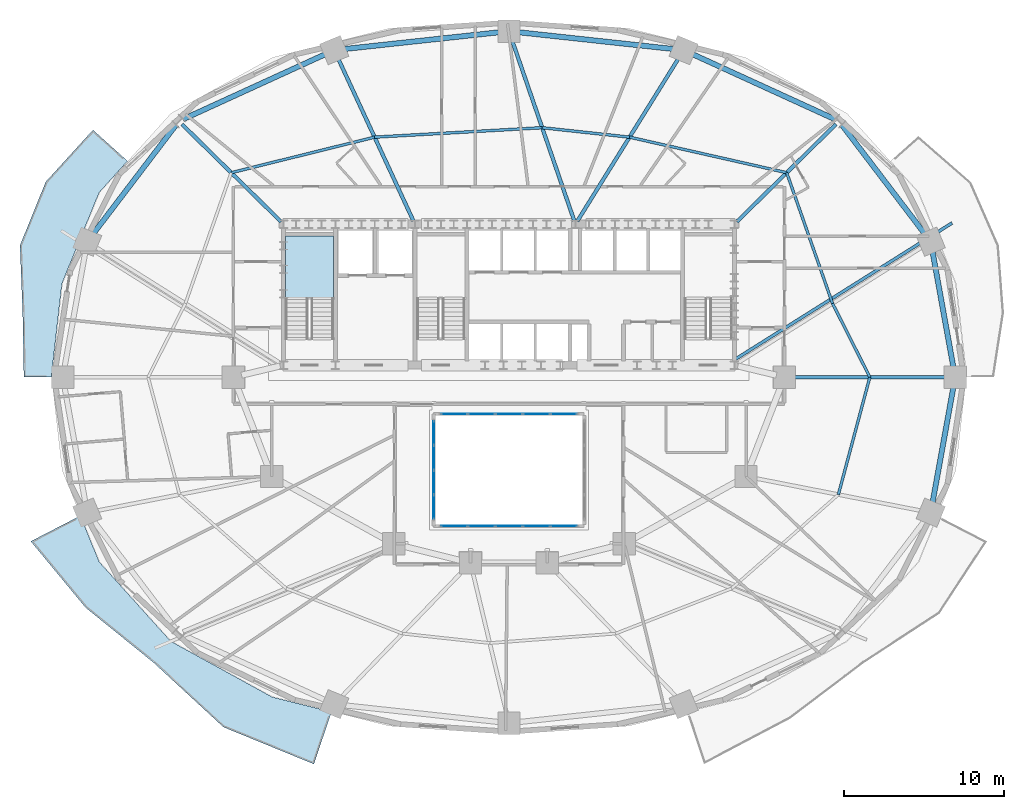
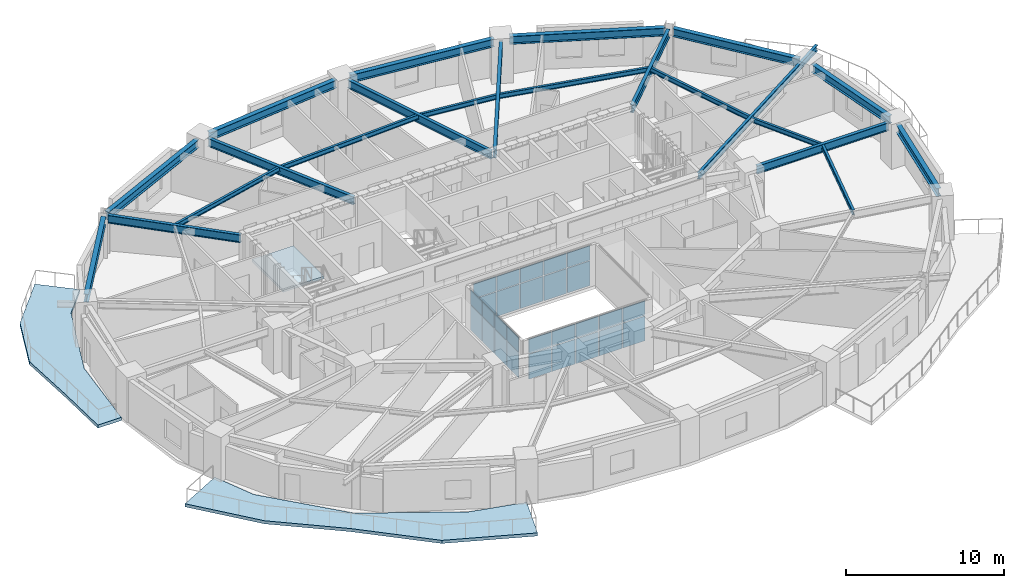
# One storey, part 6 of 15: 28 plates, 22 beams, 3 slabs, 4 elements without a shape of their own.
"""IFC4 building model written with IfcOpenShell, lengths in metres."""

from ifc_helpers import new_model, si_unit, direction, frame, origin, origin_2d, place, context, subcontext, project, spatial, polyline, rectangle, i_section, outline, extrude, material, layer, layer_set, material_profile, profile_set, type_object, element, aggregate, save


model = new_model("IFC4")

# Units and contexts
model_context = context("Model", 3, precision=1e-05, world=origin(), true_north=direction((0.0, 1.0)))
body_context = subcontext(model_context, "Body", "Model", "MODEL_VIEW")
ifc_project = project(units=[si_unit("LENGTHUNIT", "METRE"), si_unit("AREAUNIT", "SQUARE_METRE"), si_unit("VOLUMEUNIT", "CUBIC_METRE"), si_unit("PLANEANGLEUNIT", "RADIAN"), si_unit("MASSUNIT", "GRAM", prefix="KILO")], contexts=[model_context])

# Site, building, storey
site_placement = place(None, origin())
site = spatial("IfcSite", under=ifc_project, at=site_placement, CompositionType="ELEMENT")
building_placement = place(site_placement, origin())
building = spatial("IfcBuilding", under=site, at=building_placement, Name="Haldorwick Loom Tower", CompositionType="ELEMENT")
storey_placement = place(building_placement, frame((0.0, 0.0, 92.14990234375)))
storey = spatial("IfcBuildingStorey", under=building, at=storey_placement, Name="L24", CompositionType="ELEMENT", Elevation=92.14990234375)

# Beams
ifc_material_1 = material(Name="Steel CSA G40.21 350W", Category="steel")
ifc_material_profile_1 = material_profile(ifc_material_1, i_section(OverallWidth=0.193115234375, OverallDepth=0.466064453125, WebThickness=0.011474609375, FlangeThickness=0.01904296875, at=origin_2d()), Name="W460X97", Category="steel")
ifc_profile_set_1 = profile_set([ifc_material_profile_1], Name="Steel CSA G40.21 350W")
beam_type_1 = type_object("IfcBeamType", Name="STR-BM-BAL460", PredefinedType="BEAM", material=ifc_profile_set_1)
beam_1_placement = place(storey_placement, frame((50.111572265625, 27.106689453125, 2.97705078125), z_axis=(0.846609845451, 0.532214026108, 0.0), x_axis=(-0.532214026108, 0.846609845451, 0.0)))
element("IfcBeam", 1, at=beam_1_placement, inside=storey, type_object=beam_type_1, Name="L24 Continuous Back-Spanned Balcony Beam 4", PredefinedType="BEAM", context=body_context, shape_type="SweptSolid", body=[
    extrude(i_section(OverallWidth=0.193115234375, OverallDepth=0.466064453125, WebThickness=0.011474609375, FlangeThickness=0.01904296875, at=origin_2d()), origin(), (0.0, 0.0, 1.0), 16.0068359375),
])
ifc_material_profile_2 = material_profile(ifc_material_1, i_section(OverallWidth=0.172119140625, OverallDepth=0.35791015625, WebThickness=0.0078125, FlangeThickness=0.01318359375, at=origin_2d()), Name="W360X57", Category="steel")
ifc_profile_set_2 = profile_set([ifc_material_profile_2], Name="Steel CSA G40.21 350W")
beam_type_2 = type_object("IfcBeamType", Name="STR-BM-J360", PredefinedType="JOIST", material=ifc_profile_set_2)
beam_2_placement = place(storey_placement, frame((58.52880859375, 26.0, 3.031005859375), z_axis=(-0.451373231558, 0.892335254169, 0.0), x_axis=(-0.892335254169, -0.451373231558, 0.0)))
element("IfcBeam", 2, at=beam_2_placement, inside=storey, type_object=beam_type_2, Name="L24 Mid-Bay Secondary Joist 1", PredefinedType="JOIST", context=body_context, shape_type="SweptSolid", body=[
    extrude(i_section(OverallWidth=0.172119140625, OverallDepth=0.35791015625, WebThickness=0.0078125, FlangeThickness=0.01318359375, at=origin_2d()), origin(), (0.0, 0.0, 1.0), 5.158935546875),
])
beam_3_placement = place(storey_placement, frame((56.2001953125, 30.603515625, 3.031005859375), z_axis=(-0.330864603503, 0.943678236556, 0.0), x_axis=(-0.943678236556, -0.330864603503, 0.0)))
element("IfcBeam", 3, at=beam_3_placement, inside=storey, type_object=beam_type_2, Name="L24 Mid-Bay Secondary Joist 2", PredefinedType="JOIST", context=body_context, shape_type="SweptSolid", body=[
    extrude(i_section(OverallWidth=0.172119140625, OverallDepth=0.35791015625, WebThickness=0.0078125, FlangeThickness=0.01318359375, at=origin_2d()), origin(), (0.0, 0.0, 1.0), 8.6494140625),
])
beam_4_placement = place(storey_placement, frame((53.33837890625, 38.765869140625, 3.031005859375), z_axis=(-0.975380231772, 0.22052982444, 0.0), x_axis=(-0.22052982444, -0.975380231772, 0.0)))
element("IfcBeam", 4, at=beam_4_placement, inside=storey, type_object=beam_type_2, Name="L24 Mid-Bay Secondary Joist 3", PredefinedType="JOIST", context=body_context, shape_type="SweptSolid", body=[
    extrude(i_section(OverallWidth=0.172119140625, OverallDepth=0.35791015625, WebThickness=0.0078125, FlangeThickness=0.01318359375, at=origin_2d()), origin(), (0.0, 0.0, 1.0), 10.0576171875),
])
beam_5_placement = place(storey_placement, frame((43.5283203125, 40.98388671875, 3.031005859375), z_axis=(-0.994191869342, 0.107622148904, 0.0), x_axis=(-0.107622148904, -0.994191869342, 0.0)))
element("IfcBeam", 5, at=beam_5_placement, inside=storey, type_object=beam_type_2, Name="L24 Mid-Bay Secondary Joist 4", PredefinedType="JOIST", context=body_context, shape_type="SweptSolid", body=[
    extrude(i_section(OverallWidth=0.172119140625, OverallDepth=0.35791015625, WebThickness=0.0078125, FlangeThickness=0.01318359375, at=origin_2d()), origin(), (0.0, 0.0, 1.0), 5.485107421875),
])
beam_6_placement = place(storey_placement, frame((38.074951171875, 41.57421875, 3.031005859375), z_axis=(-0.998412171013, -0.056330602457, 0.0), x_axis=(0.056330602457, -0.998412171013, 0.0)))
element("IfcBeam", 6, at=beam_6_placement, inside=storey, type_object=beam_type_2, Name="L24 Mid-Bay Secondary Joist 5", PredefinedType="JOIST", context=body_context, shape_type="SweptSolid", body=[
    extrude(i_section(OverallWidth=0.172119140625, OverallDepth=0.35791015625, WebThickness=0.0078125, FlangeThickness=0.01318359375, at=origin_2d()), origin(), (0.0, 0.0, 1.0), 10.479736328125),
])
beam_7_placement = place(storey_placement, frame((27.61181640625, 40.98388671875, 3.031005859375), z_axis=(-0.970638838364, -0.240541567009, 0.0), x_axis=(0.240541567009, -0.970638838364, 0.0)))
element("IfcBeam", 7, at=beam_7_placement, inside=storey, type_object=beam_type_2, Name="L24 Mid-Bay Secondary Joist 6", PredefinedType="JOIST", context=body_context, shape_type="SweptSolid", body=[
    extrude(i_section(OverallWidth=0.172119140625, OverallDepth=0.35791015625, WebThickness=0.0078125, FlangeThickness=0.01318359375, at=origin_2d()), origin(), (0.0, 0.0, 1.0), 9.220947265625),
])
beam_8_placement = place(storey_placement, frame((56.565185546875, 18.67138671875, 3.031005859375), z_axis=(0.258810072536, 0.965928230436, 0.0), x_axis=(-0.965928230436, 0.258810072536, 0.0)))
element("IfcBeam", 8, at=beam_8_placement, inside=storey, type_object=beam_type_2, Name="L24 Mid-Bay Secondary Joist 16", PredefinedType="JOIST", context=body_context, shape_type="SweptSolid", body=[
    extrude(i_section(OverallWidth=0.172119140625, OverallDepth=0.35791015625, WebThickness=0.0078125, FlangeThickness=0.01318359375, at=origin_2d()), origin(), (0.0, 0.0, 1.0), 7.587158203125),
])
ifc_material_profile_3 = material_profile(ifc_material_1, i_section(OverallWidth=0.324951171875, OverallDepth=0.615966796875, WebThickness=0.013916015625, FlangeThickness=0.021484375, at=origin_2d()), Name="W610X174", Category="steel")
ifc_profile_set_3 = profile_set([ifc_material_profile_3], Name="Steel CSA G40.21 350W")
beam_type_3 = type_object("IfcBeamType", Name="STR-BM-SP610", PredefinedType="SPANDREL", material=ifc_profile_set_3)
beam_9_placement = place(storey_placement, frame((63.76513671875, 26.51171875, 2.902099609375), z_axis=(-0.177659490888, 0.984092020747, 0.0), x_axis=(-0.984092020747, -0.177659490888, 0.0)))
element("IfcBeam", 9, at=beam_9_placement, inside=storey, type_object=beam_type_3, Name="L24 Perimeter Spandrel 1", PredefinedType="SPANDREL", context=body_context, shape_type="SweptSolid", body=[
    extrude(i_section(OverallWidth=0.324951171875, OverallDepth=0.615966796875, WebThickness=0.013916015625, FlangeThickness=0.021484375, at=origin_2d()), origin(), (0.0, 0.0, 1.0), 7.553955078125),
])
beam_10_placement = place(storey_placement, frame((62.015869140625, 34.87109375, 2.902099609375), z_axis=(-0.605453508047, 0.795880675475, 0.0), x_axis=(-0.795880675475, -0.605453508047, 0.0)))
element("IfcBeam", 10, at=beam_10_placement, inside=storey, type_object=beam_type_3, Name="L24 Perimeter Spandrel 2", PredefinedType="SPANDREL", context=body_context, shape_type="SweptSolid", body=[
    extrude(i_section(OverallWidth=0.324951171875, OverallDepth=0.615966796875, WebThickness=0.013916015625, FlangeThickness=0.021484375, at=origin_2d()), origin(), (0.0, 0.0, 1.0), 8.6591796875),
])
beam_11_placement = place(storey_placement, frame((56.356689453125, 42.09619140625, 2.902099609375), z_axis=(-0.909423969306, 0.415870225011, 0.0), x_axis=(-0.415870225011, -0.909423969306, 0.0)))
element("IfcBeam", 11, at=beam_11_placement, inside=storey, type_object=beam_type_3, Name="L24 Perimeter Spandrel 3", PredefinedType="SPANDREL", context=body_context, shape_type="SweptSolid", body=[
    extrude(i_section(OverallWidth=0.324951171875, OverallDepth=0.615966796875, WebThickness=0.013916015625, FlangeThickness=0.021484375, at=origin_2d()), origin(), (0.0, 0.0, 1.0), 9.871337890625),
])
for number, where, z_axis, x_axis, name in (
    (12, (46.389404296875, 46.4736328125, 2.902099609375), (-0.994190135627, 0.107638163409, 0.0), (-0.107638163409, -0.994190135627, 0.0), "L24 Perimeter Spandrel 4"),
    (13, (35.48291015625, 47.54248046875, 2.902099609375), (-0.994190135627, -0.107638163409, 0.0), (0.107638163409, -0.994190135627, 0.0), "L24 Perimeter Spandrel 5"),
):
    element("IfcBeam", number, at=place(storey_placement, frame(where, z_axis=z_axis, x_axis=x_axis)), inside=storey, type_object=beam_type_3, Name=name, PredefinedType="SPANDREL", context=body_context, shape_type="SweptSolid", body=[
        extrude(i_section(OverallWidth=0.324951171875, OverallDepth=0.615966796875, WebThickness=0.013916015625, FlangeThickness=0.021484375, at=origin_2d()), origin(), (0.0, 0.0, 1.0), 9.929931640625),
    ])
beam_12_placement = place(storey_placement, frame((24.62060546875, 46.201416015625, 2.902099609375), z_axis=(-0.909423969306, -0.415870225011, 0.0), x_axis=(0.415870225011, -0.909423969306, 0.0)))
element("IfcBeam", 14, at=beam_12_placement, inside=storey, type_object=beam_type_3, Name="L24 Perimeter Spandrel 6", PredefinedType="SPANDREL", context=body_context, shape_type="SweptSolid", body=[
    extrude(i_section(OverallWidth=0.324951171875, OverallDepth=0.615966796875, WebThickness=0.013916015625, FlangeThickness=0.021484375, at=origin_2d()), origin(), (0.0, 0.0, 1.0), 9.871337890625),
])
beam_13_placement = place(storey_placement, frame((15.226806640625, 41.7626953125, 2.902099609375), z_axis=(-0.605453508047, -0.795880675475, 0.0), x_axis=(0.795880675475, -0.605453508047, 0.0)))
element("IfcBeam", 15, at=beam_13_placement, inside=storey, type_object=beam_type_3, Name="L24 Perimeter Spandrel 7", PredefinedType="SPANDREL", context=body_context, shape_type="SweptSolid", body=[
    extrude(i_section(OverallWidth=0.324951171875, OverallDepth=0.615966796875, WebThickness=0.013916015625, FlangeThickness=0.021484375, at=origin_2d()), origin(), (0.0, 0.0, 1.0), 8.6591796875),
])
beam_14_placement = place(storey_placement, frame((62.423095703125, 18.054443359375, 2.902099609375), z_axis=(0.177659490888, 0.984092020747, 0.0), x_axis=(-0.984092020747, 0.177659490888, 0.0)))
element("IfcBeam", 16, at=beam_14_placement, inside=storey, type_object=beam_type_3, Name="L24 Perimeter Spandrel 16", PredefinedType="SPANDREL", context=body_context, shape_type="SweptSolid", body=[
    extrude(i_section(OverallWidth=0.324951171875, OverallDepth=0.615966796875, WebThickness=0.013916015625, FlangeThickness=0.021484375, at=origin_2d()), origin(), (0.0, 0.0, 1.0), 7.553955078125),
])
ifc_material_profile_4 = material_profile(ifc_material_1, i_section(OverallWidth=0.22998046875, OverallDepth=0.616943359375, WebThickness=0.01318359375, FlangeThickness=0.022216796875, at=origin_2d()), Name="W610X140", Category="steel")
ifc_profile_set_4 = profile_set([ifc_material_profile_4], Name="Steel CSA G40.21 350W")
beam_type_4 = type_object("IfcBeamType", Name="STR-BM-W610B", PredefinedType="BEAM", material=ifc_profile_set_4)
beam_15_placement = place(storey_placement, frame((53.719970703125, 26.0, 2.901611328125), z_axis=(1.0, 0.0, 0.0), x_axis=(0.0, 1.0, 0.0)))
element("IfcBeam", 17, at=beam_15_placement, inside=storey, type_object=beam_type_4, Name="L24 Radial Floor Girder 1", PredefinedType="BEAM", context=body_context, shape_type="SweptSolid", body=[
    extrude(i_section(OverallWidth=0.22998046875, OverallDepth=0.616943359375, WebThickness=0.01318359375, FlangeThickness=0.022216796875, at=origin_2d()), origin(), (0.0, 0.0, 1.0), 9.61767578125),
])
beam_16_placement = place(storey_placement, frame((50.23046875, 35.707763671875, 2.901611328125), z_axis=(0.712813667541, 0.701353459653, 0.0), x_axis=(-0.701353459653, 0.712813667541, 0.0)))
element("IfcBeam", 18, at=beam_16_placement, inside=storey, type_object=beam_type_4, Name="L24 Radial Floor Girder 3", PredefinedType="BEAM", context=body_context, shape_type="SweptSolid", body=[
    extrude(i_section(OverallWidth=0.22998046875, OverallDepth=0.616943359375, WebThickness=0.01318359375, FlangeThickness=0.022216796875, at=origin_2d()), origin(), (0.0, 0.0, 1.0), 8.67041015625),
])
beam_17_placement = place(storey_placement, frame((40.268798828125, 35.7412109375, 2.901611328125), z_axis=(0.527983484361, 0.849254638046, 0.0), x_axis=(-0.849254638046, 0.527983484361, 0.0)))
element("IfcBeam", 19, at=beam_17_placement, inside=storey, type_object=beam_type_4, Name="L24 Radial Floor Girder 4", PredefinedType="BEAM", context=body_context, shape_type="SweptSolid", body=[
    extrude(i_section(OverallWidth=0.22998046875, OverallDepth=0.616943359375, WebThickness=0.01318359375, FlangeThickness=0.022216796875, at=origin_2d()), origin(), (0.0, 0.0, 1.0), 12.051513671875),
])
beam_18_placement = place(storey_placement, frame((40.07666015625, 35.7626953125, 2.901611328125), z_axis=(-0.325673980289, 0.945482130218, 0.0), x_axis=(-0.945482130218, -0.325673980289, 0.0)))
element("IfcBeam", 20, at=beam_18_placement, inside=storey, type_object=beam_type_4, Name="L24 Radial Floor Girder 5", PredefinedType="BEAM", context=body_context, shape_type="SweptSolid", body=[
    extrude(i_section(OverallWidth=0.22998046875, OverallDepth=0.616943359375, WebThickness=0.01318359375, FlangeThickness=0.022216796875, at=origin_2d()), origin(), (0.0, 0.0, 1.0), 11.998046875),
])
beam_19_placement = place(storey_placement, frame((30.035400390625, 35.754150390625, 2.901611328125), z_axis=(-0.420492432459, 0.907296045536, 0.0), x_axis=(-0.907296045536, -0.420492432459, 0.0)))
element("IfcBeam", 21, at=beam_19_placement, inside=storey, type_object=beam_type_4, Name="L24 Radial Floor Girder 6", PredefinedType="BEAM", context=body_context, shape_type="SweptSolid", body=[
    extrude(i_section(OverallWidth=0.22998046875, OverallDepth=0.616943359375, WebThickness=0.01318359375, FlangeThickness=0.022216796875, at=origin_2d()), origin(), (0.0, 0.0, 1.0), 11.23291015625),
])
beam_20_placement = place(storey_placement, frame((21.76953125, 35.707763671875, 2.901611328125), z_axis=(-0.712813667541, 0.701353459653, 0.0), x_axis=(-0.701353459653, -0.712813667541, 0.0)))
element("IfcBeam", 22, at=beam_20_placement, inside=storey, type_object=beam_type_4, Name="L24 Radial Floor Girder 7", PredefinedType="BEAM", context=body_context, shape_type="SweptSolid", body=[
    extrude(i_section(OverallWidth=0.22998046875, OverallDepth=0.616943359375, WebThickness=0.01318359375, FlangeThickness=0.022216796875, at=origin_2d()), origin(), (0.0, 0.0, 1.0), 8.67041015625),
])

# Curtain wall, plates
ifc_material_2 = material(Name="Thermally Broken Anodized Aluminium Curtain Wall Framing", Category="aluminium")
curtain_wall_type = type_object("IfcCurtainWallType", Name="ARC-CW-03", PredefinedType="NOTDEFINED", material=ifc_material_2)
curtain_wall_1_placement = place(storey_placement, origin())
curtain_wall_1 = element("IfcCurtainWall", 23, at=curtain_wall_1_placement, inside=storey, type_object=curtain_wall_type, Name="L24 Atrium Glazed Screen S", PredefinedType="NOTDEFINED")
ifc_material_3 = material(Name="Triple-Glazed Low-E Argon Insulated Glazing Unit", Category="glass")
ifc_layer_1 = layer(ifc_material_3, 0.04296875, Name="Triple-Glazed Low-E Argon Insulated Glazing Unit", Category="glass")
ifc_layer_set_1 = layer_set([ifc_layer_1], Name="Triple-Glazed Low-E Argon Insulated Glazing Unit")
plate_type = type_object("IfcPlateType", Name="ARC-CWP-03", PredefinedType="CURTAIN_PANEL", material=ifc_layer_set_1)
plate_1_placement = place(storey_placement, frame((39.423583984375, 16.699951171875, 0.066162109375), z_axis=(0.0, 0.0, 1.0), x_axis=(-1.0, 0.0, 0.0)))
plate_1 = element("IfcPlate", 24, at=plate_1_placement, type_object=plate_type, Name="CW-03 panel 1.1", PredefinedType="CURTAIN_PANEL", context=body_context, shape_type="SweptSolid", body=[
    extrude(rectangle(XDim=1.62109375, YDim=0.04296875, at=origin_2d()), origin(), (0.0, 0.0, 1.0), 1.90087890625),
])
plate_2_placement = place(storey_placement, frame((39.423583984375, 16.699951171875, 2.033203125), z_axis=(0.0, 0.0, 1.0), x_axis=(-1.0, 0.0, 0.0)))
plate_2 = element("IfcPlate", 25, at=plate_2_placement, type_object=plate_type, Name="CW-03 panel 1.2", PredefinedType="CURTAIN_PANEL", context=body_context, shape_type="SweptSolid", body=[
    extrude(rectangle(XDim=1.62109375, YDim=0.04296875, at=origin_2d()), origin(), (0.0, 0.0, 1.0), 1.111083984375),
])
plate_3_placement = place(storey_placement, frame((37.719970703125, 16.699951171875, 0.066162109375), z_axis=(0.0, 0.0, 1.0), x_axis=(-1.0, 0.0, 0.0)))
plate_3 = element("IfcPlate", 26, at=plate_3_placement, type_object=plate_type, Name="CW-03 panel 2.1", PredefinedType="CURTAIN_PANEL", context=body_context, shape_type="SweptSolid", body=[
    extrude(rectangle(XDim=1.654052734375, YDim=0.04296875, at=origin_2d()), origin(), (0.0, 0.0, 1.0), 1.90087890625),
])
plate_4_placement = place(storey_placement, frame((37.719970703125, 16.699951171875, 2.033203125), z_axis=(0.0, 0.0, 1.0), x_axis=(-1.0, 0.0, 0.0)))
plate_4 = element("IfcPlate", 27, at=plate_4_placement, type_object=plate_type, Name="CW-03 panel 2.2", PredefinedType="CURTAIN_PANEL", context=body_context, shape_type="SweptSolid", body=[
    extrude(rectangle(XDim=1.654052734375, YDim=0.04296875, at=origin_2d()), origin(), (0.0, 0.0, 1.0), 1.111083984375),
])
plate_5_placement = place(storey_placement, frame((36.0, 16.699951171875, 0.066162109375), z_axis=(0.0, 0.0, 1.0), x_axis=(-1.0, 0.0, 0.0)))
plate_5 = element("IfcPlate", 28, at=plate_5_placement, type_object=plate_type, Name="CW-03 panel 3.1", PredefinedType="CURTAIN_PANEL", context=body_context, shape_type="SweptSolid", body=[
    extrude(rectangle(XDim=1.654052734375, YDim=0.04296875, at=origin_2d()), origin(), (0.0, 0.0, 1.0), 1.90087890625),
])
plate_6_placement = place(storey_placement, frame((36.0, 16.699951171875, 2.033203125), z_axis=(0.0, 0.0, 1.0), x_axis=(-1.0, 0.0, 0.0)))
plate_6 = element("IfcPlate", 29, at=plate_6_placement, type_object=plate_type, Name="CW-03 panel 3.2", PredefinedType="CURTAIN_PANEL", context=body_context, shape_type="SweptSolid", body=[
    extrude(rectangle(XDim=1.654052734375, YDim=0.04296875, at=origin_2d()), origin(), (0.0, 0.0, 1.0), 1.111083984375),
])
plate_7_placement = place(storey_placement, frame((34.280029296875, 16.699951171875, 0.066162109375), z_axis=(0.0, 0.0, 1.0), x_axis=(-1.0, 0.0, 0.0)))
plate_7 = element("IfcPlate", 30, at=plate_7_placement, type_object=plate_type, Name="CW-03 panel 4.1", PredefinedType="CURTAIN_PANEL", context=body_context, shape_type="SweptSolid", body=[
    extrude(rectangle(XDim=1.654052734375, YDim=0.04296875, at=origin_2d()), origin(), (0.0, 0.0, 1.0), 1.90087890625),
])
plate_8_placement = place(storey_placement, frame((34.280029296875, 16.699951171875, 2.033203125), z_axis=(0.0, 0.0, 1.0), x_axis=(-1.0, 0.0, 0.0)))
plate_8 = element("IfcPlate", 31, at=plate_8_placement, type_object=plate_type, Name="CW-03 panel 4.2", PredefinedType="CURTAIN_PANEL", context=body_context, shape_type="SweptSolid", body=[
    extrude(rectangle(XDim=1.654052734375, YDim=0.04296875, at=origin_2d()), origin(), (0.0, 0.0, 1.0), 1.111083984375),
])
plate_9_placement = place(storey_placement, frame((32.576416015625, 16.699951171875, 0.066162109375), z_axis=(0.0, 0.0, 1.0), x_axis=(-1.0, 0.0, 0.0)))
plate_9 = element("IfcPlate", 32, at=plate_9_placement, type_object=plate_type, Name="CW-03 panel 5.1", PredefinedType="CURTAIN_PANEL", context=body_context, shape_type="SweptSolid", body=[
    extrude(rectangle(XDim=1.62109375, YDim=0.04296875, at=origin_2d()), origin(), (0.0, 0.0, 1.0), 1.90087890625),
])
plate_10_placement = place(storey_placement, frame((32.576416015625, 16.699951171875, 2.033203125), z_axis=(0.0, 0.0, 1.0), x_axis=(-1.0, 0.0, 0.0)))
plate_10 = element("IfcPlate", 33, at=plate_10_placement, type_object=plate_type, Name="CW-03 panel 5.2", PredefinedType="CURTAIN_PANEL", context=body_context, shape_type="SweptSolid", body=[
    extrude(rectangle(XDim=1.62109375, YDim=0.04296875, at=origin_2d()), origin(), (0.0, 0.0, 1.0), 1.111083984375),
])
aggregate(curtain_wall_1, [plate_1, plate_2, plate_3, plate_4, plate_5, plate_6, plate_7, plate_8, plate_9, plate_10])

curtain_wall_2_placement = place(storey_placement, origin())
curtain_wall_2 = element("IfcCurtainWall", 34, at=curtain_wall_2_placement, inside=storey, type_object=curtain_wall_type, Name="L24 Atrium Glazed Screen N", PredefinedType="NOTDEFINED")
plate_11_placement = place(storey_placement, frame((32.576416015625, 23.699951171875, 0.066162109375), z_axis=(0.0, 0.0, 1.0), x_axis=(1.0, 0.0, 0.0)))
plate_11 = element("IfcPlate", 35, at=plate_11_placement, type_object=plate_type, Name="CW-03 panel 1.1", PredefinedType="CURTAIN_PANEL", context=body_context, shape_type="SweptSolid", body=[
    extrude(rectangle(XDim=1.62109375, YDim=0.04296875, at=origin_2d()), origin(), (0.0, 0.0, 1.0), 1.90087890625),
])
plate_12_placement = place(storey_placement, frame((32.576416015625, 23.699951171875, 2.033203125), z_axis=(0.0, 0.0, 1.0), x_axis=(1.0, 0.0, 0.0)))
plate_12 = element("IfcPlate", 36, at=plate_12_placement, type_object=plate_type, Name="CW-03 panel 1.2", PredefinedType="CURTAIN_PANEL", context=body_context, shape_type="SweptSolid", body=[
    extrude(rectangle(XDim=1.62109375, YDim=0.04296875, at=origin_2d()), origin(), (0.0, 0.0, 1.0), 1.111083984375),
])
plate_13_placement = place(storey_placement, frame((34.280029296875, 23.699951171875, 0.066162109375), z_axis=(0.0, 0.0, 1.0), x_axis=(1.0, 0.0, 0.0)))
plate_13 = element("IfcPlate", 37, at=plate_13_placement, type_object=plate_type, Name="CW-03 panel 2.1", PredefinedType="CURTAIN_PANEL", context=body_context, shape_type="SweptSolid", body=[
    extrude(rectangle(XDim=1.654052734375, YDim=0.04296875, at=origin_2d()), origin(), (0.0, 0.0, 1.0), 1.90087890625),
])
plate_14_placement = place(storey_placement, frame((34.280029296875, 23.699951171875, 2.033203125), z_axis=(0.0, 0.0, 1.0), x_axis=(1.0, 0.0, 0.0)))
plate_14 = element("IfcPlate", 38, at=plate_14_placement, type_object=plate_type, Name="CW-03 panel 2.2", PredefinedType="CURTAIN_PANEL", context=body_context, shape_type="SweptSolid", body=[
    extrude(rectangle(XDim=1.654052734375, YDim=0.04296875, at=origin_2d()), origin(), (0.0, 0.0, 1.0), 1.111083984375),
])
plate_15_placement = place(storey_placement, frame((36.0, 23.699951171875, 0.066162109375), z_axis=(0.0, 0.0, 1.0), x_axis=(1.0, 0.0, 0.0)))
plate_15 = element("IfcPlate", 39, at=plate_15_placement, type_object=plate_type, Name="CW-03 panel 3.1", PredefinedType="CURTAIN_PANEL", context=body_context, shape_type="SweptSolid", body=[
    extrude(rectangle(XDim=1.654052734375, YDim=0.04296875, at=origin_2d()), origin(), (0.0, 0.0, 1.0), 1.90087890625),
])
plate_16_placement = place(storey_placement, frame((36.0, 23.699951171875, 2.033203125), z_axis=(0.0, 0.0, 1.0), x_axis=(1.0, 0.0, 0.0)))
plate_16 = element("IfcPlate", 40, at=plate_16_placement, type_object=plate_type, Name="CW-03 panel 3.2", PredefinedType="CURTAIN_PANEL", context=body_context, shape_type="SweptSolid", body=[
    extrude(rectangle(XDim=1.654052734375, YDim=0.04296875, at=origin_2d()), origin(), (0.0, 0.0, 1.0), 1.111083984375),
])
plate_17_placement = place(storey_placement, frame((37.719970703125, 23.699951171875, 0.066162109375), z_axis=(0.0, 0.0, 1.0), x_axis=(1.0, 0.0, 0.0)))
plate_17 = element("IfcPlate", 41, at=plate_17_placement, type_object=plate_type, Name="CW-03 panel 4.1", PredefinedType="CURTAIN_PANEL", context=body_context, shape_type="SweptSolid", body=[
    extrude(rectangle(XDim=1.654052734375, YDim=0.04296875, at=origin_2d()), origin(), (0.0, 0.0, 1.0), 1.90087890625),
])
plate_18_placement = place(storey_placement, frame((37.719970703125, 23.699951171875, 2.033203125), z_axis=(0.0, 0.0, 1.0), x_axis=(1.0, 0.0, 0.0)))
plate_18 = element("IfcPlate", 42, at=plate_18_placement, type_object=plate_type, Name="CW-03 panel 4.2", PredefinedType="CURTAIN_PANEL", context=body_context, shape_type="SweptSolid", body=[
    extrude(rectangle(XDim=1.654052734375, YDim=0.04296875, at=origin_2d()), origin(), (0.0, 0.0, 1.0), 1.111083984375),
])
plate_19_placement = place(storey_placement, frame((39.423583984375, 23.699951171875, 0.066162109375), z_axis=(0.0, 0.0, 1.0), x_axis=(1.0, 0.0, 0.0)))
plate_19 = element("IfcPlate", 43, at=plate_19_placement, type_object=plate_type, Name="CW-03 panel 5.1", PredefinedType="CURTAIN_PANEL", context=body_context, shape_type="SweptSolid", body=[
    extrude(rectangle(XDim=1.62109375, YDim=0.04296875, at=origin_2d()), origin(), (0.0, 0.0, 1.0), 1.90087890625),
])
plate_20_placement = place(storey_placement, frame((39.423583984375, 23.699951171875, 2.033203125), z_axis=(0.0, 0.0, 1.0), x_axis=(1.0, 0.0, 0.0)))
plate_20 = element("IfcPlate", 44, at=plate_20_placement, type_object=plate_type, Name="CW-03 panel 5.2", PredefinedType="CURTAIN_PANEL", context=body_context, shape_type="SweptSolid", body=[
    extrude(rectangle(XDim=1.62109375, YDim=0.04296875, at=origin_2d()), origin(), (0.0, 0.0, 1.0), 1.111083984375),
])
aggregate(curtain_wall_2, [plate_11, plate_12, plate_13, plate_14, plate_15, plate_16, plate_17, plate_18, plate_19, plate_20])

curtain_wall_3_placement = place(storey_placement, origin())
curtain_wall_3 = element("IfcCurtainWall", 45, at=curtain_wall_3_placement, inside=storey, type_object=curtain_wall_type, Name="L24 Atrium Glazed Screen W", PredefinedType="NOTDEFINED")
plate_21_placement = place(storey_placement, frame((31.300048828125, 17.8916015625, 0.066162109375), z_axis=(0.0, 0.0, 1.0), x_axis=(0.0, 1.0, 0.0)))
plate_21 = element("IfcPlate", 46, at=plate_21_placement, type_object=plate_type, Name="CW-03 panel 1.1", PredefinedType="CURTAIN_PANEL", context=body_context, shape_type="SweptSolid", body=[
    extrude(rectangle(XDim=1.450927734375, YDim=0.04296875, at=origin_2d()), origin(), (0.0, 0.0, 1.0), 1.90087890625),
])
plate_22_placement = place(storey_placement, frame((31.300048828125, 17.8916015625, 2.033203125), z_axis=(0.0, 0.0, 1.0), x_axis=(0.0, 1.0, 0.0)))
plate_22 = element("IfcPlate", 47, at=plate_22_placement, type_object=plate_type, Name="CW-03 panel 1.2", PredefinedType="CURTAIN_PANEL", context=body_context, shape_type="SweptSolid", body=[
    extrude(rectangle(XDim=1.450927734375, YDim=0.04296875, at=origin_2d()), origin(), (0.0, 0.0, 1.0), 1.111083984375),
])
plate_23_placement = place(storey_placement, frame((31.300048828125, 19.425048828125, 0.066162109375), z_axis=(0.0, 0.0, 1.0), x_axis=(0.0, 1.0, 0.0)))
plate_23 = element("IfcPlate", 48, at=plate_23_placement, type_object=plate_type, Name="CW-03 panel 2.1", PredefinedType="CURTAIN_PANEL", context=body_context, shape_type="SweptSolid", body=[
    extrude(rectangle(XDim=1.48388671875, YDim=0.04296875, at=origin_2d()), origin(), (0.0, 0.0, 1.0), 1.90087890625),
])
plate_24_placement = place(storey_placement, frame((31.300048828125, 19.425048828125, 2.033203125), z_axis=(0.0, 0.0, 1.0), x_axis=(0.0, 1.0, 0.0)))
plate_24 = element("IfcPlate", 49, at=plate_24_placement, type_object=plate_type, Name="CW-03 panel 2.2", PredefinedType="CURTAIN_PANEL", context=body_context, shape_type="SweptSolid", body=[
    extrude(rectangle(XDim=1.48388671875, YDim=0.04296875, at=origin_2d()), origin(), (0.0, 0.0, 1.0), 1.111083984375),
])
plate_25_placement = place(storey_placement, frame((31.300048828125, 20.97509765625, 0.066162109375), z_axis=(0.0, 0.0, 1.0), x_axis=(0.0, 1.0, 0.0)))
plate_25 = element("IfcPlate", 50, at=plate_25_placement, type_object=plate_type, Name="CW-03 panel 3.1", PredefinedType="CURTAIN_PANEL", context=body_context, shape_type="SweptSolid", body=[
    extrude(rectangle(XDim=1.48388671875, YDim=0.04296875, at=origin_2d()), origin(), (0.0, 0.0, 1.0), 1.90087890625),
])
plate_26_placement = place(storey_placement, frame((31.300048828125, 20.97509765625, 2.033203125), z_axis=(0.0, 0.0, 1.0), x_axis=(0.0, 1.0, 0.0)))
plate_26 = element("IfcPlate", 51, at=plate_26_placement, type_object=plate_type, Name="CW-03 panel 3.2", PredefinedType="CURTAIN_PANEL", context=body_context, shape_type="SweptSolid", body=[
    extrude(rectangle(XDim=1.48388671875, YDim=0.04296875, at=origin_2d()), origin(), (0.0, 0.0, 1.0), 1.111083984375),
])
plate_27_placement = place(storey_placement, frame((31.300048828125, 22.508544921875, 0.066162109375), z_axis=(0.0, 0.0, 1.0), x_axis=(0.0, 1.0, 0.0)))
plate_27 = element("IfcPlate", 52, at=plate_27_placement, type_object=plate_type, Name="CW-03 panel 4.1", PredefinedType="CURTAIN_PANEL", context=body_context, shape_type="SweptSolid", body=[
    extrude(rectangle(XDim=1.450927734375, YDim=0.04296875, at=origin_2d()), origin(), (0.0, 0.0, 1.0), 1.90087890625),
])
plate_28_placement = place(storey_placement, frame((31.300048828125, 22.508544921875, 2.033203125), z_axis=(0.0, 0.0, 1.0), x_axis=(0.0, 1.0, 0.0)))
plate_28 = element("IfcPlate", 53, at=plate_28_placement, type_object=plate_type, Name="CW-03 panel 4.2", PredefinedType="CURTAIN_PANEL", context=body_context, shape_type="SweptSolid", body=[
    extrude(rectangle(XDim=1.450927734375, YDim=0.04296875, at=origin_2d()), origin(), (0.0, 0.0, 1.0), 1.111083984375),
])
aggregate(curtain_wall_3, [plate_21, plate_22, plate_23, plate_24, plate_25, plate_26, plate_27, plate_28])

# Slabs
ifc_material_4 = material(Name="Concrete C40 (40 MPa)", Category="concrete")
ifc_layer_2 = layer(ifc_material_4, 0.239990234375, Name="Concrete C40 (40 MPa)", Category="concrete")
ifc_layer_set_2 = layer_set([ifc_layer_2], Name="Concrete C40 (40 MPa)")
slab_type_1 = type_object("IfcSlabType", Name="STR-SLB-BAL240", PredefinedType="FLOOR", material=ifc_layer_set_2)
slab_1_placement = place(storey_placement, frame((0.0, 0.0, -0.239990234375)))
element("IfcSlab", 54, at=slab_1_placement, inside=storey, type_object=slab_type_1, Name="L24 Sinusoidal Balcony Terrace BAL_SW", PredefinedType="FLOOR", context=body_context, shape_type="SweptSolid", body=[
    extrude(outline(polyline([(24.91357421875, 5.10498046875), (21.23583984375, 6.022705078125), (21.234619140625, 6.023193359375), (21.2333984375, 6.023681640625), (21.232177734375, 6.0244140625), (14.89111328125, 9.51025390625), (14.8896484375, 9.510986328125), (14.88818359375, 9.51220703125), (14.88720703125, 9.51318359375), (10.4228515625, 14.464599609375), (10.421875, 14.465576171875), (10.421142578125, 14.466552734375), (10.420654296875, 14.4677734375), (10.419921875, 14.468994140625), (9.241455078125, 17.34814453125), (6.151611328125, 15.751708984375), (9.568115234375, 11.616943359375), (13.835693359375, 8.16259765625), (18.172607421875, 4.155517578125), (23.825439453125, 1.84326171875), (24.91357421875, 5.10498046875)])), origin(), (0.0, 0.0, 1.0), 0.239990234375),
])
slab_2_placement = place(storey_placement, frame((0.0, 0.0, -0.239990234375)))
element("IfcSlab", 55, at=slab_2_placement, inside=storey, type_object=slab_type_1, Name="L24 Sinusoidal Balcony Terrace BAL_WNW", PredefinedType="FLOOR", context=body_context, shape_type="SweptSolid", body=[
    extrude(outline(polyline([(7.427490234375, 26.0), (7.427490234375, 26.001708984375), (8.09033203125, 31.837890625), (8.090576171875, 31.83935546875), (8.0908203125, 31.840576171875), (8.09130859375, 31.841796875), (10.419921875, 37.531005859375), (10.420654296875, 37.5322265625), (10.421142578125, 37.533447265625), (10.421875, 37.534423828125), (10.4228515625, 37.535400390625), (12.1865234375, 39.49169921875), (10.03076171875, 41.431640625), (7.083984375, 38.197509765625), (5.47412109375, 34.22265625), (5.642578125, 29.9150390625), (5.7158203125, 26.0), (7.427490234375, 26.0)])), origin(), (0.0, 0.0, 1.0), 0.239990234375),
])

# Stair, slab
stair_type = type_object("IfcStairType", Name="STR-STR-CORE", PredefinedType="HALF_TURN_STAIR", material=ifc_material_4)
stair_placement = place(storey_placement, origin())
stair = element("IfcStair", 56, at=stair_placement, inside=storey, type_object=stair_type, Name="L24 Exit Stair ST-01", PredefinedType="HALF_TURN_STAIR")
ifc_layer_3 = layer(ifc_material_4, 0.199951171875, Name="Concrete C40 (40 MPa)", Category="concrete")
ifc_layer_set_3 = layer_set([ifc_layer_3], Name="Concrete C40 (40 MPa)")
slab_type_2 = type_object("IfcSlabType", Name="STR-SLB-LAND200", PredefinedType="LANDING", material=ifc_layer_set_3)
slab_3_placement = place(storey_placement, frame((0.0, 0.0, 1.525146484375)))
slab_3 = element("IfcSlab", 57, at=slab_3_placement, type_object=slab_type_2, Name="ST-01 landing 1", PredefinedType="LANDING", context=body_context, shape_type="SweptSolid", body=[
    extrude(outline(polyline([(25.050048828125, 30.919921875), (25.050048828125, 34.800048828125), (22.050048828125, 34.800048828125), (22.050048828125, 30.919921875), (25.050048828125, 30.919921875)])), origin(), (0.0, 0.0, 1.0), 0.199951171875),
])
aggregate(stair, [slab_3])

save(model, "model.ifc")
